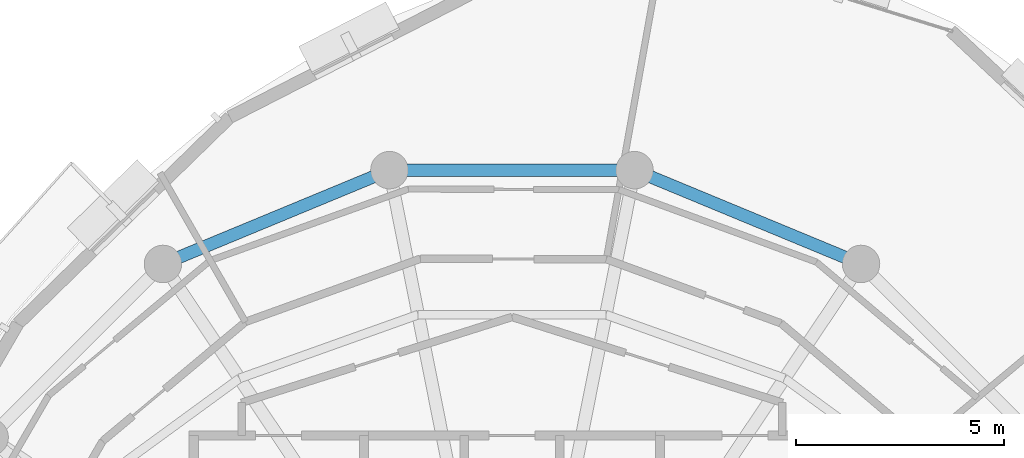
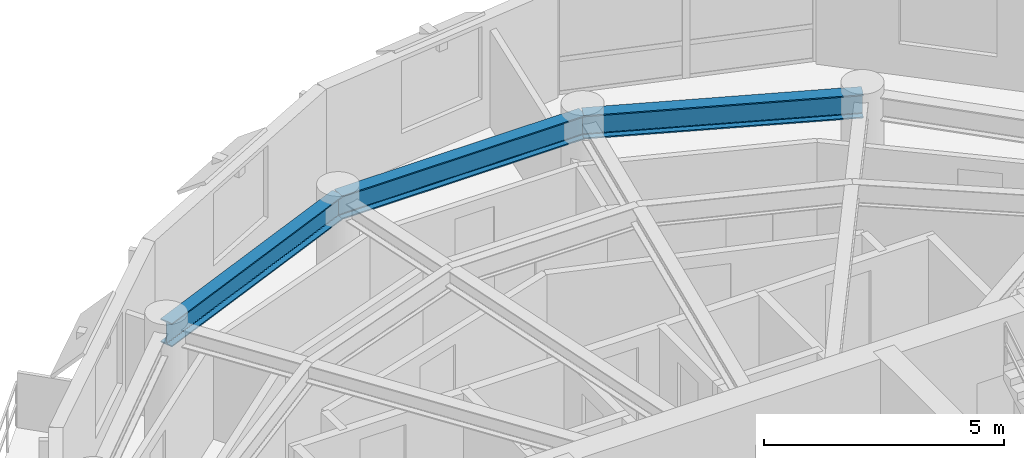
# One storey, part 4 of 11: 3 beams.
"""IFC4 building model written with IfcOpenShell, lengths in metres."""

from ifc_helpers import new_model, si_unit, direction, frame, origin, origin_2d, place, context, subcontext, project, spatial, i_section, extrude, material, material_profile, profile_set, type_object, element, save


model = new_model("IFC4")

# Units and contexts
model_context = context("Model", 3, precision=1e-05, world=origin(), true_north=direction((0.0, 1.0)))
body_context = subcontext(model_context, "Body", "Model", "MODEL_VIEW")
ifc_project = project(units=[si_unit("LENGTHUNIT", "METRE"), si_unit("AREAUNIT", "SQUARE_METRE"), si_unit("VOLUMEUNIT", "CUBIC_METRE"), si_unit("PLANEANGLEUNIT", "RADIAN"), si_unit("MASSUNIT", "GRAM", prefix="KILO"), si_unit("THERMODYNAMICTEMPERATUREUNIT", "KELVIN"), si_unit("POWERUNIT", "WATT")], contexts=[model_context])

# Site, building, storey
site_placement = place(None, origin())
site = spatial("IfcSite", under=ifc_project, at=site_placement, CompositionType="ELEMENT")
building_placement = place(site_placement, origin())
building = spatial("IfcBuilding", under=site, at=building_placement, Name="Ocrelia Relay Tower", CompositionType="ELEMENT")
storey_placement = place(building_placement, frame((0.0, 0.0, 277.199951171875)))
storey = spatial("IfcBuildingStorey", under=building, at=storey_placement, Name="L69", CompositionType="ELEMENT", Elevation=277.199951171875)

# Beams
ifc_material = material(Name="Steel S355", Category="steel")
ifc_material_profile = material_profile(ifc_material, i_section(OverallWidth=0.300048828125, OverallDepth=0.60009765625, WebThickness=0.015380859375, FlangeThickness=0.030029296875, FilletRadius=0.027099609375, at=origin_2d()), Name="HEB 600")
ifc_profile_set = profile_set([ifc_material_profile], Name="Steel S355")
beam_type = type_object("IfcBeamType", Name="BM-HEB600", PredefinedType="BEAM", material=ifc_profile_set)
beam_1_placement = place(storey_placement, frame((42.38916015625, 38.55517578125, 3.080078125), z_axis=(-0.923884009374, 0.382672624084, 0.0), x_axis=(-0.382672624084, -0.923884009374, 0.0)))
element("IfcBeam", 1, at=beam_1_placement, inside=storey, type_object=beam_type, Name="L69 Perimeter Spandrel Beam S03", PredefinedType="BEAM", context=body_context, shape_type="SweptSolid", body=[
    extrude(i_section(OverallWidth=0.300048828125, OverallDepth=0.60009765625, WebThickness=0.015380859375, FlangeThickness=0.030029296875, FilletRadius=0.027099609375, at=origin_2d()), origin(), (0.0, 0.0, 1.0), 5.891845703125),
])
beam_2_placement = place(storey_placement, frame((36.94580078125, 40.809814453125, 3.080078125), z_axis=(-1.0, 0.0, 0.0), x_axis=(0.0, -1.0, 0.0)))
element("IfcBeam", 2, at=beam_2_placement, inside=storey, type_object=beam_type, Name="L69 Perimeter Spandrel Beam S04", PredefinedType="BEAM", context=body_context, shape_type="SweptSolid", body=[
    extrude(i_section(OverallWidth=0.300048828125, OverallDepth=0.60009765625, WebThickness=0.015380859375, FlangeThickness=0.030029296875, FilletRadius=0.027099609375, at=origin_2d()), origin(), (0.0, 0.0, 1.0), 5.8916015625),
])
beam_3_placement = place(storey_placement, frame((31.05419921875, 40.809814453125, 3.080078125), z_axis=(-0.923884009374, -0.382672624084, 0.0), x_axis=(0.382672624084, -0.923884009374, 0.0)))
element("IfcBeam", 3, at=beam_3_placement, inside=storey, type_object=beam_type, Name="L69 Perimeter Spandrel Beam S05", PredefinedType="BEAM", context=body_context, shape_type="SweptSolid", body=[
    extrude(i_section(OverallWidth=0.300048828125, OverallDepth=0.60009765625, WebThickness=0.015380859375, FlangeThickness=0.030029296875, FilletRadius=0.027099609375, at=origin_2d()), origin(), (0.0, 0.0, 1.0), 5.891845703125),
])

save(model, "model.ifc")
